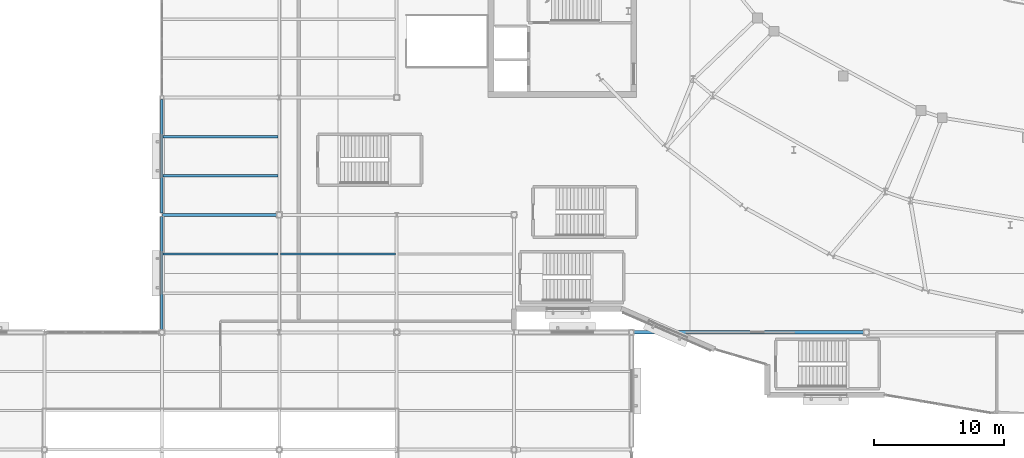
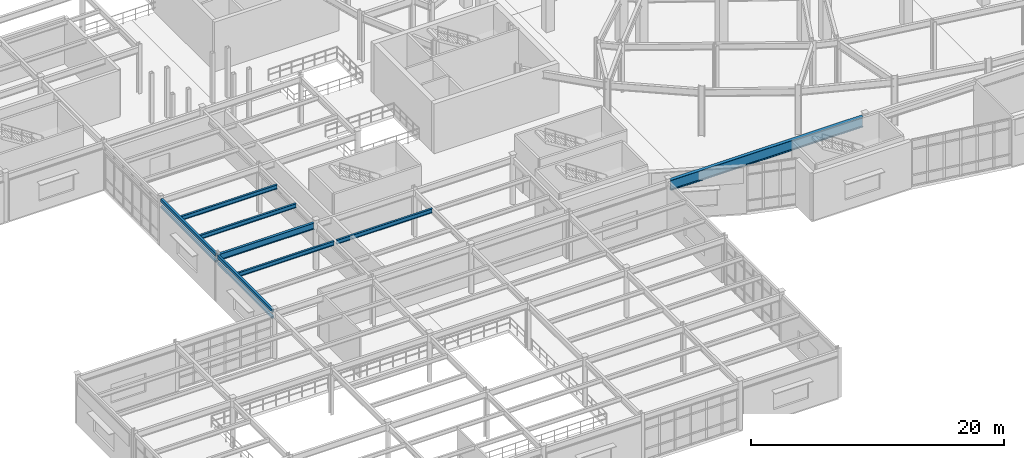
# One storey, part 30 of 86: 10 beams.
"""IFC4 building model written with IfcOpenShell, lengths in metres."""

from ifc_helpers import new_model, si_unit, direction, frame, origin, origin_2d, place, context, subcontext, project, spatial, hollow_rectangle, i_section, extrude, material, material_profile, profile_set, type_object, element, save


model = new_model("IFC4")

# Units and contexts
model_context = context("Model", 3, precision=1e-05, world=origin(), true_north=direction((0.0, 1.0)))
body_context = subcontext(model_context, "Body", "Model", "MODEL_VIEW")
ifc_project = project(units=[si_unit("LENGTHUNIT", "METRE"), si_unit("AREAUNIT", "SQUARE_METRE"), si_unit("VOLUMEUNIT", "CUBIC_METRE"), si_unit("PLANEANGLEUNIT", "RADIAN"), si_unit("MASSUNIT", "GRAM", prefix="KILO")], contexts=[model_context])

# Site, building, storey
site_placement = place(None, origin())
site = spatial("IfcSite", under=ifc_project, at=site_placement, CompositionType="ELEMENT")
building_placement = place(site_placement, origin())
building = spatial("IfcBuilding", under=site, at=building_placement, Name="Glasvene Arena", CompositionType="ELEMENT")
storey_placement = place(building_placement, frame((0.0, 0.0, 5.39990234375)))
storey = spatial("IfcBuildingStorey", under=building, at=storey_placement, Name="L01", CompositionType="ELEMENT", Elevation=5.39990234375)

# Beams
ifc_material = material(Name="Steel S355J2", Category="steel")
ifc_material_profile_1 = material_profile(ifc_material, i_section(OverallWidth=0.300048828125, OverallDepth=1.0, WebThickness=0.0166015625, FlangeThickness=0.031005859375, FilletRadius=0.030029296875, at=origin_2d()), Name="UKB 1016x305x272")
ifc_profile_set_1 = profile_set([ifc_material_profile_1], Name="Steel S355J2")
beam_type_1 = type_object("IfcBeamType", Name="BM-GIRD-1016", PredefinedType="BEAM", material=ifc_profile_set_1)
beam_1_placement = place(storey_placement, frame((54.1982421875, 27.0, 4.02001953125), z_axis=(1.0, 0.0, 0.0), x_axis=(0.0, 1.0, 0.0)))
element("IfcBeam", 1, at=beam_1_placement, inside=storey, type_object=beam_type_1, Name="Primary X girder L01-0546", PredefinedType="BEAM", context=body_context, shape_type="SweptSolid", body=[
    extrude(i_section(OverallWidth=0.300048828125, OverallDepth=1.0, WebThickness=0.0166015625, FlangeThickness=0.031005859375, FilletRadius=0.030029296875, at=origin_2d()), origin(), (0.0, 0.0, 1.0), 17.578369140625),
])
ifc_material_profile_2 = material_profile(ifc_material, i_section(OverallWidth=0.228271484375, OverallDepth=0.607666015625, WebThickness=0.010986328125, FlangeThickness=0.017333984375, FilletRadius=0.0126953125, at=origin_2d()), Name="UKB 610x229x113")
ifc_profile_set_2 = profile_set([ifc_material_profile_2], Name="Steel S355J2")
beam_type_2 = type_object("IfcBeamType", Name="BM-GIRD-610", PredefinedType="BEAM", material=ifc_profile_set_2)
beam_2_placement = place(storey_placement, frame((18.050048828125, 36.0, 4.21630859375), z_axis=(1.0, 0.0, 0.0), x_axis=(0.0, 1.0, 0.0)))
element("IfcBeam", 2, at=beam_2_placement, inside=storey, type_object=beam_type_2, Name="Primary X girder L01-0549", PredefinedType="BEAM", context=body_context, shape_type="SweptSolid", body=[
    extrude(i_section(OverallWidth=0.228271484375, OverallDepth=0.607666015625, WebThickness=0.010986328125, FlangeThickness=0.017333984375, FilletRadius=0.0126953125, at=origin_2d()), origin(), (0.0, 0.0, 1.0), 8.7265625),
])
ifc_material_profile_3 = material_profile(ifc_material, i_section(OverallWidth=0.177978515625, OverallDepth=0.406494140625, WebThickness=0.0078125, FlangeThickness=0.0126953125, FilletRadius=0.01025390625, at=origin_2d()), Name="UKB 406x178x60")
ifc_profile_set_3 = profile_set([ifc_material_profile_3], Name="Steel S355J2")
beam_type_3 = type_object("IfcBeamType", Name="BM-JOIST-406", PredefinedType="JOIST", material=ifc_profile_set_3)
for number, where, z_axis, x_axis, name in (
    (3, (18.095947265625, 33.0, 4.31689453125), (1.0, 0.0, 0.0), (0.0, 1.0, 0.0), "Composite floor joist L01-0704"),
    (4, (18.095947265625, 39.0, 4.31689453125), (1.0, 0.0, 0.0), (0.0, 1.0, 0.0), "Composite floor joist L01-0705"),
    (5, (18.095947265625, 42.0, 4.31689453125), (1.0, 0.0, 0.0), (0.0, 1.0, 0.0), "Composite floor joist L01-0706"),
):
    element("IfcBeam", number, at=place(storey_placement, frame(where, z_axis=z_axis, x_axis=x_axis)), inside=storey, type_object=beam_type_3, Name=name, PredefinedType="JOIST", context=body_context, shape_type="SweptSolid", body=[
        extrude(i_section(OverallWidth=0.177978515625, OverallDepth=0.406494140625, WebThickness=0.0078125, FlangeThickness=0.0126953125, FilletRadius=0.01025390625, at=origin_2d()), origin(), (0.0, 0.0, 1.0), 8.7939453125),
    ])
beam_3_placement = place(storey_placement, frame((27.110107421875, 33.0, 4.31689453125), z_axis=(1.0, 0.0, 0.0), x_axis=(0.0, 1.0, 0.0)))
element("IfcBeam", 6, at=beam_3_placement, inside=storey, type_object=beam_type_3, Name="Composite floor joist L01-0718", PredefinedType="JOIST", context=body_context, shape_type="SweptSolid", body=[
    extrude(i_section(OverallWidth=0.177978515625, OverallDepth=0.406494140625, WebThickness=0.0078125, FlangeThickness=0.0126953125, FilletRadius=0.01025390625, at=origin_2d()), origin(), (0.0, 0.0, 1.0), 8.77978515625),
])
ifc_material_profile_4 = material_profile(ifc_material, hollow_rectangle(XDim=0.199951171875, YDim=0.199951171875, WallThickness=0.010009765625, at=origin_2d()), Name="SHS 200x200x10.0")
ifc_profile_set_4 = profile_set([ifc_material_profile_4], Name="Steel S355J2")
beam_type_4 = type_object("IfcBeamType", Name="BM-LINTEL-200", PredefinedType="LINTEL", material=ifc_profile_set_4)
beam_4_placement = place(storey_placement, frame((18.0, 27.19921875, 3.739990234375), z_axis=(0.0, 1.0, 0.0), x_axis=(-1.0, 0.0, 0.0)))
element("IfcBeam", 7, at=beam_4_placement, inside=storey, type_object=beam_type_4, Name="Passage portal lintel L01-2-3", PredefinedType="LINTEL", context=body_context, shape_type="SweptSolid", body=[
    extrude(hollow_rectangle(XDim=0.199951171875, YDim=0.199951171875, WallThickness=0.010009765625, at=origin_2d()), origin(), (0.0, 0.0, 1.0), 8.674560546875),
])
beam_5_placement = place(storey_placement, frame((18.0, 36.126220703125, 3.739990234375), z_axis=(0.0, 1.0, 0.0), x_axis=(-1.0, 0.0, 0.0)))
element("IfcBeam", 8, at=beam_5_placement, inside=storey, type_object=beam_type_4, Name="Passage portal lintel L01-2-4", PredefinedType="LINTEL", context=body_context, shape_type="SweptSolid", body=[
    extrude(hollow_rectangle(XDim=0.199951171875, YDim=0.199951171875, WallThickness=0.010009765625, at=origin_2d()), origin(), (0.0, 0.0, 1.0), 8.727783203125),
])
ifc_material_profile_5 = material_profile(ifc_material, hollow_rectangle(XDim=0.199951171875, YDim=0.300048828125, WallThickness=0.012451171875, at=origin_2d()), Name="RHS 300x200x12.5")
ifc_profile_set_5 = profile_set([ifc_material_profile_5], Name="Steel S355J2")
beam_type_5 = type_object("IfcBeamType", Name="BM-SPAND-300", PredefinedType="SPANDREL", material=ifc_profile_set_5)
beam_6_placement = place(storey_placement, frame((18.0, 27.1982421875, 4.3701171875), z_axis=(0.0, 1.0, 0.0), x_axis=(-1.0, 0.0, 0.0)))
element("IfcBeam", 9, at=beam_6_placement, inside=storey, type_object=beam_type_5, Name="Primary Y girder L01-0619", PredefinedType="SPANDREL", context=body_context, shape_type="SweptSolid", body=[
    extrude(hollow_rectangle(XDim=0.199951171875, YDim=0.300048828125, WallThickness=0.012451171875, at=origin_2d()), origin(), (0.0, 0.0, 1.0), 8.6767578125),
])
beam_7_placement = place(storey_placement, frame((18.0, 36.125, 4.3701171875), z_axis=(0.0, 1.0, 0.0), x_axis=(-1.0, 0.0, 0.0)))
element("IfcBeam", 10, at=beam_7_placement, inside=storey, type_object=beam_type_5, Name="Primary Y girder L01-0620", PredefinedType="SPANDREL", context=body_context, shape_type="SweptSolid", body=[
    extrude(hollow_rectangle(XDim=0.199951171875, YDim=0.300048828125, WallThickness=0.012451171875, at=origin_2d()), origin(), (0.0, 0.0, 1.0), 8.72998046875),
])

save(model, "model.ifc")
